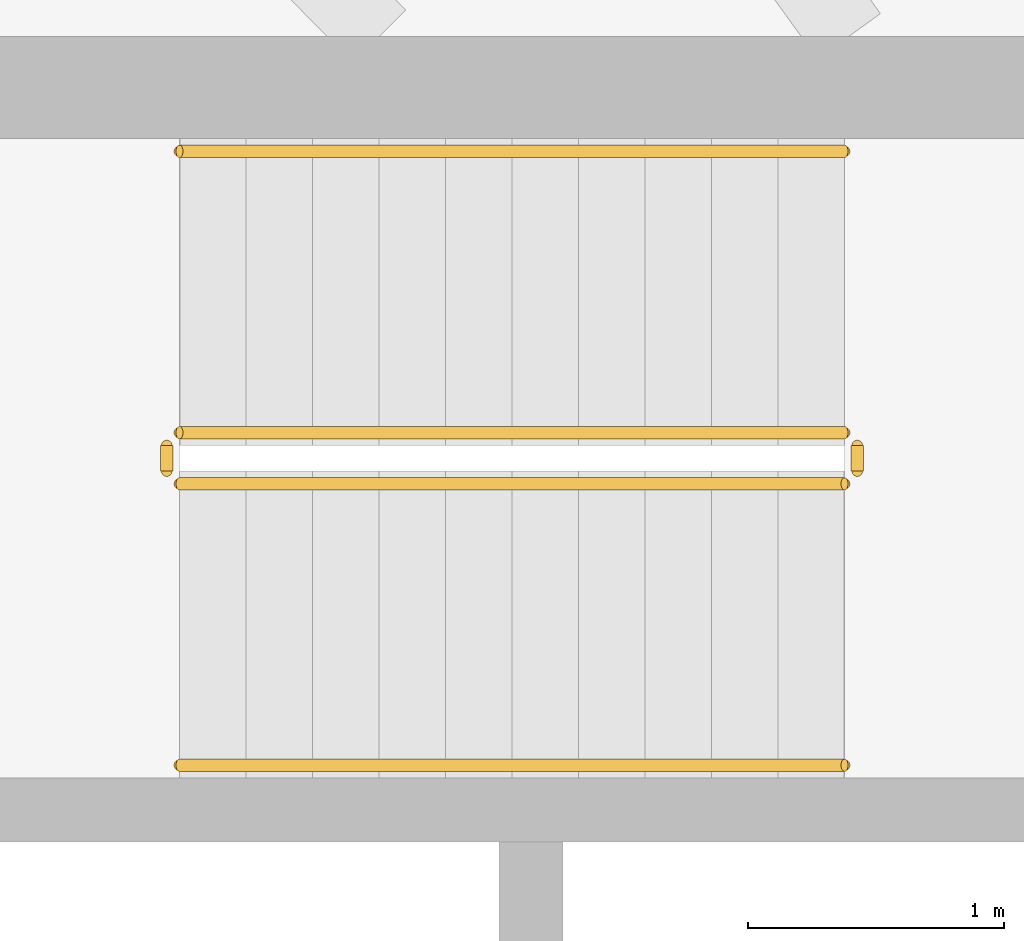
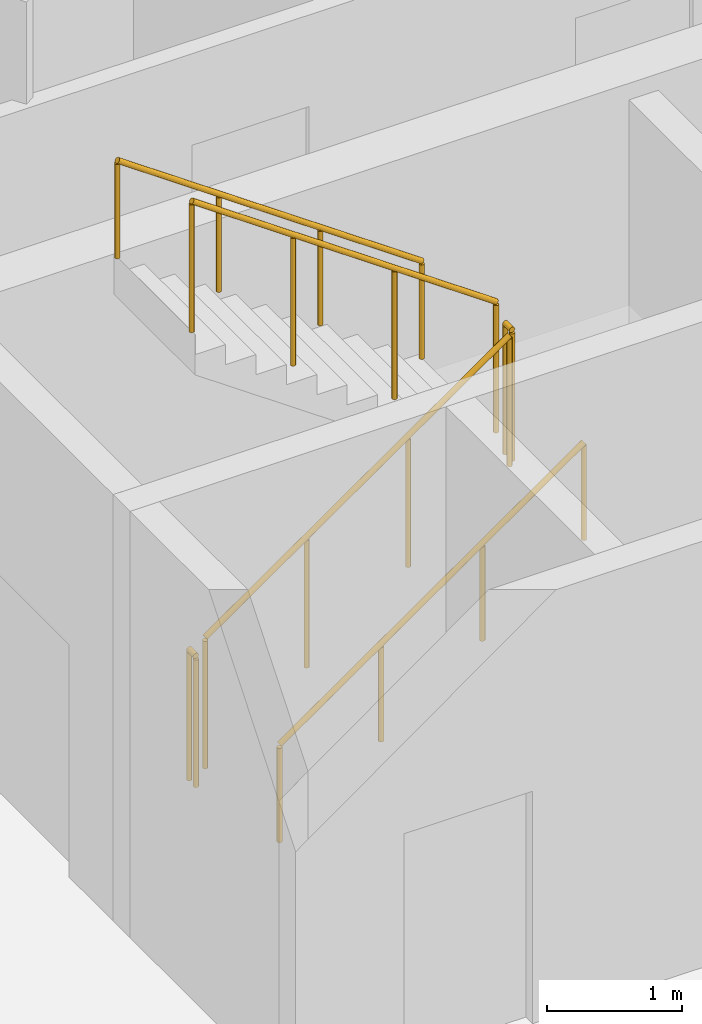
# One storey, part 16 of 20: 6 railings.
"""IFC4 building model written with IfcOpenShell, lengths in metres."""

import ifcopenshell
import ifcopenshell.guid

model = None  # the IFC model being written
_history = None  # IfcOwnerHistory: only IFC2X3 demands one
_inside = {}  # id of a spatial element -> (the spatial element, [elements in it])
_under = {}  # id of a project, library or spatial element -> (it, [spatial elements below it])
_declared = {}  # id of a project -> (the project, [libraries it declares])
_typed = {}  # id of a type object -> (the type object, [elements of that type])
_made_of = {}  # id of a material, layer set ... -> (it, [elements and type objects made of it])


def new_model(schema):
    """Start an empty IFC model of exactly this schema.

    Asked for "IFC4X3", IfcOpenShell would pick the latest addendum, in which some entities
    have other attributes; the version numbers below select the first issue.
    IFC2X3 requires an IfcOwnerHistory on every rooted entity: one is made here for all.
    """
    global model, _history
    if schema == "IFC4X3":
        model = ifcopenshell.file(schema_version=(4, 3, 0, 0))
    else:
        model = ifcopenshell.file(schema=schema)
    _inside.clear()
    _under.clear()
    _declared.clear()
    _typed.clear()
    _made_of.clear()
    _history = None
    if model.schema == "IFC2X3":
        org = make("IfcOrganization", Name="unknown")
        user = make(
            "IfcPersonAndOrganization",
            ThePerson=make("IfcPerson", FamilyName="unknown"),
            TheOrganization=org,
        )
        app = make(
            "IfcApplication",
            ApplicationDeveloper=org,
            Version="unknown",
            ApplicationFullName="unknown",
            ApplicationIdentifier="unknown",
        )
        _history = make(
            "IfcOwnerHistory",
            OwningUser=user,
            OwningApplication=app,
            ChangeAction="ADDED",
            CreationDate=0,
        )
    return model


def make(cls, **values):
    """One entity of the class cls with the attributes given. An attribute that is None is left unset."""
    return model.create_entity(
        cls, **{name: value for name, value in values.items() if value is not None}
    )


def rooted(cls, **values):
    """An entity with a GlobalId (a new one), such as an element, a storey or a relation."""
    return make(cls, GlobalId=ifcopenshell.guid.new(), OwnerHistory=_history, **values)


def si_unit(unit_type, name, prefix=None):
    """IfcSIUnit, for example si_unit("LENGTHUNIT", "METRE", prefix="MILLI")."""
    return make("IfcSIUnit", UnitType=unit_type, Prefix=prefix, Name=name)


def assignment(units):
    """IfcUnitAssignment: the units of a project."""
    return None if units is None else make("IfcUnitAssignment", Units=units)


def point(xyz):
    """IfcCartesianPoint."""
    return None if xyz is None else make("IfcCartesianPoint", Coordinates=xyz)


def direction(xyz):
    """IfcDirection."""
    return None if xyz is None else make("IfcDirection", DirectionRatios=xyz)


def frame(location, z_axis=None, x_axis=None):
    """IfcAxis2Placement3D, a coordinate frame: its origin and axes. An axis left out is left unset."""
    return make(
        "IfcAxis2Placement3D",
        Location=point(location),
        Axis=direction(z_axis),
        RefDirection=direction(x_axis),
    )


def frame_2d(location, x_axis=None):
    """IfcAxis2Placement2D, a coordinate frame in the plane: its origin and x axis."""
    return make(
        "IfcAxis2Placement2D", Location=point(location), RefDirection=direction(x_axis)
    )


def origin():
    """The frame at (0, 0, 0) with its axes left unset."""
    return frame((0.0, 0.0, 0.0))


def origin_2d():
    """The frame at (0, 0) in the plane with its x axis left unset."""
    return frame_2d((0.0, 0.0))


def place(relative_to, where):
    """IfcLocalPlacement: puts the frame where relative to a parent placement (None: the world)."""
    return make(
        "IfcLocalPlacement", PlacementRelTo=relative_to, RelativePlacement=where
    )


def context(
    kind, dimensions, precision=None, world=None, true_north=None, identifier=None
):
    """IfcGeometricRepresentationContext, for example the 3D "Model" context."""
    return make(
        "IfcGeometricRepresentationContext",
        ContextIdentifier=identifier,
        ContextType=kind,
        CoordinateSpaceDimension=dimensions,
        Precision=precision,
        WorldCoordinateSystem=world,
        TrueNorth=true_north,
    )


def subcontext(parent, identifier, kind, view, scale=None):
    """IfcGeometricRepresentationSubContext, for example "Body" below "Model"."""
    return make(
        "IfcGeometricRepresentationSubContext",
        ContextIdentifier=identifier,
        ContextType=kind,
        ParentContext=parent,
        TargetScale=scale,
        TargetView=view,
    )


def project(units=None, contexts=None):
    """IfcProject with its units and contexts."""
    return rooted(
        "IfcProject",
        Name="project",
        RepresentationContexts=contexts,
        UnitsInContext=assignment(units),
    )


def spatial(cls, under=None, at=None, **own):
    """A site, building, storey or space (cls), placed at a placement, below another one or the project."""
    s = rooted(cls, ObjectPlacement=at, **own)
    if under is not None:
        _under.setdefault(under.id(), (under, []))[1].append(s)
    return s


def profile(cls, at=None, kind="AREA", **sizes):
    """A parametric profile (cls). Its sizes go by their IFC names, for example OverallWidth=200.0."""
    return make(cls, ProfileType=kind, Position=at, **sizes)


def circle(**sizes):
    """IfcCircleProfileDef."""
    return profile("IfcCircleProfileDef", **sizes)


def extrude(swept, where, along, depth):
    """IfcExtrudedAreaSolid: the profile swept, set in the frame where, extruded along a direction by depth."""
    return make(
        "IfcExtrudedAreaSolid",
        SweptArea=swept,
        Position=where,
        ExtrudedDirection=direction(along),
        Depth=depth,
    )


def shape(context_of_items, identifier, shape_type, items):
    """IfcShapeRepresentation: the items that make up one representation, for example the "Body"."""
    return make(
        "IfcShapeRepresentation",
        ContextOfItems=context_of_items,
        RepresentationIdentifier=identifier,
        RepresentationType=shape_type,
        Items=items,
    )


def material(Name=None, Category=None):
    """IfcMaterial."""
    return make("IfcMaterial", Name=Name, Category=Category)


def made_of(thing, what):
    """Note that an element or type object is made of a material, layer set ...; save() writes the relation."""
    if what is not None:
        _made_of.setdefault(what.id(), (what, []))[1].append(thing)
    return thing


def type_object(cls, material=None, **own):
    """A type object (cls), such as IfcWallType, which elements share."""
    return made_of(rooted(cls, **own), material)


def element(
    cls,
    number,
    at=None,
    inside=None,
    cuts=None,
    type_object=None,
    material=None,
    context=None,
    identifier="Body",
    shape_type=None,
    held_by="IfcProductDefinitionShape",
    body=None,
    shapes=None,
    **own,
):
    """One element of the class cls, such as IfcWall. Its Tag is "e" and its number.

    at: its placement. inside: the storey or other place that contains it. cuts: it is an
    opening in that element (IfcRelVoidsElement). A single representation is given by context,
    identifier, shape_type and body (its items); several are given by shapes. held_by: the class
    of the entity that holds the representations. save() writes the other relations.
    """
    e = rooted(cls, Tag="e%d" % number, ObjectPlacement=at, **own)
    if body is not None:
        shapes = [shape(context, identifier, shape_type, body)]
    if shapes is not None:
        e.Representation = make(held_by, Representations=shapes)
    if inside is not None:
        _inside.setdefault(inside.id(), (inside, []))[1].append(e)
    if cuts is not None:
        rooted(
            "IfcRelVoidsElement", RelatingBuildingElement=cuts, RelatedOpeningElement=e
        )
    if type_object is not None:
        _typed.setdefault(type_object.id(), (type_object, []))[1].append(e)
    return made_of(e, material)


def aggregate(whole, parts):
    """IfcRelAggregates: a whole, such as a stair, and the parts it consists of."""
    return rooted("IfcRelAggregates", RelatingObject=whole, RelatedObjects=parts)


def save(model, path):
    """Write the relations noted so far, then the file.

    IfcRelAggregates (storeys below a building ...), IfcRelContainedInSpatialStructure (elements
    in a storey), IfcRelDefinesByType, IfcRelAssociatesMaterial and IfcRelDeclares: one each for
    every whole, place, type object, material and project.
    """
    for whole, parts in _under.values():
        aggregate(whole, parts)
    for where, things in _inside.values():
        rooted(
            "IfcRelContainedInSpatialStructure",
            RelatedElements=things,
            RelatingStructure=where,
        )
    for kind, things in _typed.values():
        rooted("IfcRelDefinesByType", RelatedObjects=things, RelatingType=kind)
    for what, things in _made_of.values():
        rooted("IfcRelAssociatesMaterial", RelatedObjects=things, RelatingMaterial=what)
    for by, libraries in _declared.values():
        rooted("IfcRelDeclares", RelatingContext=by, RelatedDefinitions=libraries)
    model.write(path)


model = new_model("IFC4")

# Units and contexts
model_context = context("Model", 3, precision=1e-05, world=origin(), true_north=direction((0.0, 1.0)))
body_context = subcontext(model_context, "Body", "Model", "MODEL_VIEW")
ifc_project = project(units=[si_unit("LENGTHUNIT", "METRE"), si_unit("AREAUNIT", "SQUARE_METRE"), si_unit("VOLUMEUNIT", "CUBIC_METRE"), si_unit("PLANEANGLEUNIT", "RADIAN"), si_unit("MASSUNIT", "GRAM", prefix="KILO")], contexts=[model_context])

# Site, building, storey
site_placement = place(None, origin())
site = spatial("IfcSite", under=ifc_project, at=site_placement, CompositionType="ELEMENT")
building_placement = place(site_placement, origin())
building = spatial("IfcBuilding", under=site, at=building_placement, Name="Sahrelin Media Tower", CompositionType="ELEMENT")
storey_placement = place(building_placement, frame((0.0, 0.0, 255.0)))
storey = spatial("IfcBuildingStorey", under=building, at=storey_placement, Name="L55", CompositionType="ELEMENT", Elevation=255.0)

# Railings
ifc_material = material(Name="Steel S355", Category="steel")
railing_type_1 = type_object("IfcRailingType", Name="Stair guard 1200", PredefinedType="GUARDRAIL", material=ifc_material)
railing_1_placement = place(storey_placement, frame((-7.675048828125, 5.25, 0.181884765625)))
element("IfcRailing", 1, at=railing_1_placement, inside=storey, type_object=railing_type_1, Name="L55 ST1 stair guard 1", PredefinedType="GUARDRAIL", context=body_context, shape_type="SweptSolid", body=[
    extrude(circle(Radius=0.02392578125, at=origin_2d()), frame((0.0, 0.0, 1.17578125), z_axis=(0.819521025635, 0.0, 0.573049115296), x_axis=(0.0, 1.0, 0.0)), (0.0, 0.0, 1.0), 3.172607421875),
    extrude(circle(Radius=0.02099609375, at=origin_2d()), origin(), (0.0, 0.0, 1.0), 1.15185546875),
    extrude(circle(Radius=0.02099609375, at=origin_2d()), frame((0.86669921875, 0.0, 0.60595703125)), (0.0, 0.0, 1.0), 1.15185546875),
    extrude(circle(Radius=0.02099609375, at=origin_2d()), frame((1.7333984375, 0.0, 1.212158203125)), (0.0, 0.0, 1.0), 1.15185546875),
    extrude(circle(Radius=0.02099609375, at=origin_2d()), frame((2.60009765625, 0.0, 1.818115234375)), (0.0, 0.0, 1.0), 1.15185546875),
])
railing_2_placement = place(storey_placement, frame((-5.02490234375, 5.300048828125, 2.0)))
element("IfcRailing", 2, at=railing_2_placement, inside=storey, type_object=railing_type_1, Name="L55 ST1 stair guard 2", PredefinedType="GUARDRAIL", context=body_context, shape_type="SweptSolid", body=[
    extrude(circle(Radius=0.02392578125, at=origin_2d()), frame((0.0, 0.0, 1.17578125), z_axis=(0.0, 1.0, 0.0), x_axis=(-1.0, 0.0, 0.0)), (0.0, 0.0, 1.0), 0.099853515625),
    extrude(circle(Radius=0.02099609375, at=origin_2d()), origin(), (0.0, 0.0, 1.0), 1.15185546875),
    extrude(circle(Radius=0.02099609375, at=origin_2d()), frame((0.0, 0.099853515625, 0.0)), (0.0, 0.0, 1.0), 1.15185546875),
])
railing_3_placement = place(storey_placement, frame((-5.074951171875, 5.449951171875, 2.181884765625)))
element("IfcRailing", 3, at=railing_3_placement, inside=storey, type_object=railing_type_1, Name="L55 ST1 stair guard 3", PredefinedType="GUARDRAIL", context=body_context, shape_type="SweptSolid", body=[
    extrude(circle(Radius=0.02392578125, at=origin_2d()), frame((0.0, 0.0, 1.17578125), z_axis=(-0.819521025635, 0.0, 0.573049115296), x_axis=(0.0, -1.0, 0.0)), (0.0, 0.0, 1.0), 3.172607421875),
    extrude(circle(Radius=0.02099609375, at=origin_2d()), origin(), (0.0, 0.0, 1.0), 1.15185546875),
    extrude(circle(Radius=0.02099609375, at=origin_2d()), frame((-0.86669921875, 0.0, 0.60595703125)), (0.0, 0.0, 1.0), 1.15185546875),
    extrude(circle(Radius=0.02099609375, at=origin_2d()), frame((-1.7333984375, 0.0, 1.212158203125)), (0.0, 0.0, 1.0), 1.15185546875),
    extrude(circle(Radius=0.02099609375, at=origin_2d()), frame((-2.60009765625, 0.0, 1.818115234375)), (0.0, 0.0, 1.0), 1.15185546875),
])
railing_4_placement = place(storey_placement, frame((-7.72509765625, 5.300048828125, 0.0)))
element("IfcRailing", 4, at=railing_4_placement, inside=storey, type_object=railing_type_1, Name="L55 ST1 stair guard 4", PredefinedType="GUARDRAIL", context=body_context, shape_type="SweptSolid", body=[
    extrude(circle(Radius=0.02392578125, at=origin_2d()), frame((0.0, 0.0, 1.17578125), z_axis=(0.0, 1.0, 0.0), x_axis=(-1.0, 0.0, 0.0)), (0.0, 0.0, 1.0), 0.099853515625),
    extrude(circle(Radius=0.02099609375, at=origin_2d()), origin(), (0.0, 0.0, 1.0), 1.15185546875),
    extrude(circle(Radius=0.02099609375, at=origin_2d()), frame((0.0, 0.099853515625, 0.0)), (0.0, 0.0, 1.0), 1.15185546875),
])
railing_type_2 = type_object("IfcRailingType", Name="Stair handrail 900", PredefinedType="HANDRAIL", material=ifc_material)
railing_5_placement = place(storey_placement, frame((-7.675048828125, 4.14990234375, 0.181884765625)))
element("IfcRailing", 5, at=railing_5_placement, inside=storey, type_object=railing_type_2, Name="L55 ST1 stair handrail 1", PredefinedType="HANDRAIL", context=body_context, shape_type="SweptSolid", body=[
    extrude(circle(Radius=0.02392578125, at=origin_2d()), frame((0.0, 0.0, 0.8759765625), z_axis=(0.819521025635, 0.0, 0.573049115296), x_axis=(0.0, 1.0, 0.0)), (0.0, 0.0, 1.0), 3.172607421875),
    extrude(circle(Radius=0.02099609375, at=origin_2d()), origin(), (0.0, 0.0, 1.0), 0.851806640625),
    extrude(circle(Radius=0.02099609375, at=origin_2d()), frame((0.86669921875, 0.0, 0.60595703125)), (0.0, 0.0, 1.0), 0.851806640625),
    extrude(circle(Radius=0.02099609375, at=origin_2d()), frame((1.7333984375, 0.0, 1.212158203125)), (0.0, 0.0, 1.0), 0.851806640625),
    extrude(circle(Radius=0.02099609375, at=origin_2d()), frame((2.60009765625, 0.0, 1.818115234375)), (0.0, 0.0, 1.0), 0.851806640625),
])
railing_6_placement = place(storey_placement, frame((-5.074951171875, 6.550048828125, 2.181884765625)))
element("IfcRailing", 6, at=railing_6_placement, inside=storey, type_object=railing_type_2, Name="L55 ST1 stair handrail 2", PredefinedType="HANDRAIL", context=body_context, shape_type="SweptSolid", body=[
    extrude(circle(Radius=0.02392578125, at=origin_2d()), frame((0.0, 0.0, 0.8759765625), z_axis=(-0.819521025635, 0.0, 0.573049115296), x_axis=(0.0, -1.0, 0.0)), (0.0, 0.0, 1.0), 3.172607421875),
    extrude(circle(Radius=0.02099609375, at=origin_2d()), origin(), (0.0, 0.0, 1.0), 0.851806640625),
    extrude(circle(Radius=0.02099609375, at=origin_2d()), frame((-0.86669921875, 0.0, 0.60595703125)), (0.0, 0.0, 1.0), 0.851806640625),
    extrude(circle(Radius=0.02099609375, at=origin_2d()), frame((-1.7333984375, 0.0, 1.212158203125)), (0.0, 0.0, 1.0), 0.851806640625),
    extrude(circle(Radius=0.02099609375, at=origin_2d()), frame((-2.60009765625, 0.0, 1.818115234375)), (0.0, 0.0, 1.0), 0.851806640625),
])

save(model, "model.ifc")
